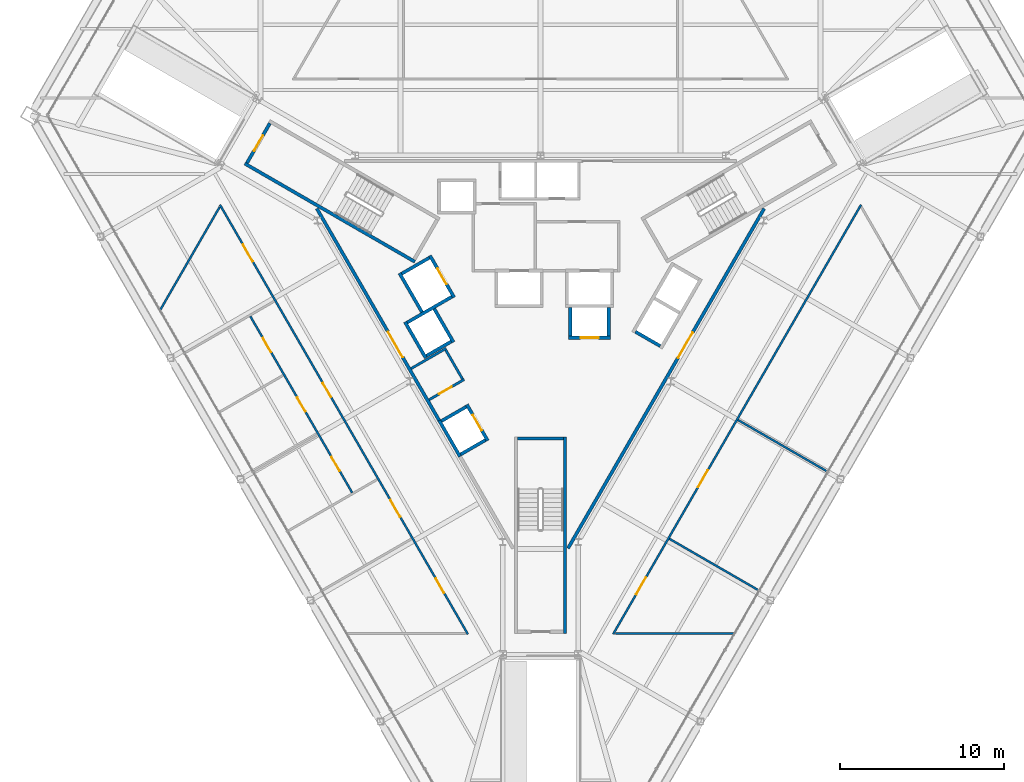
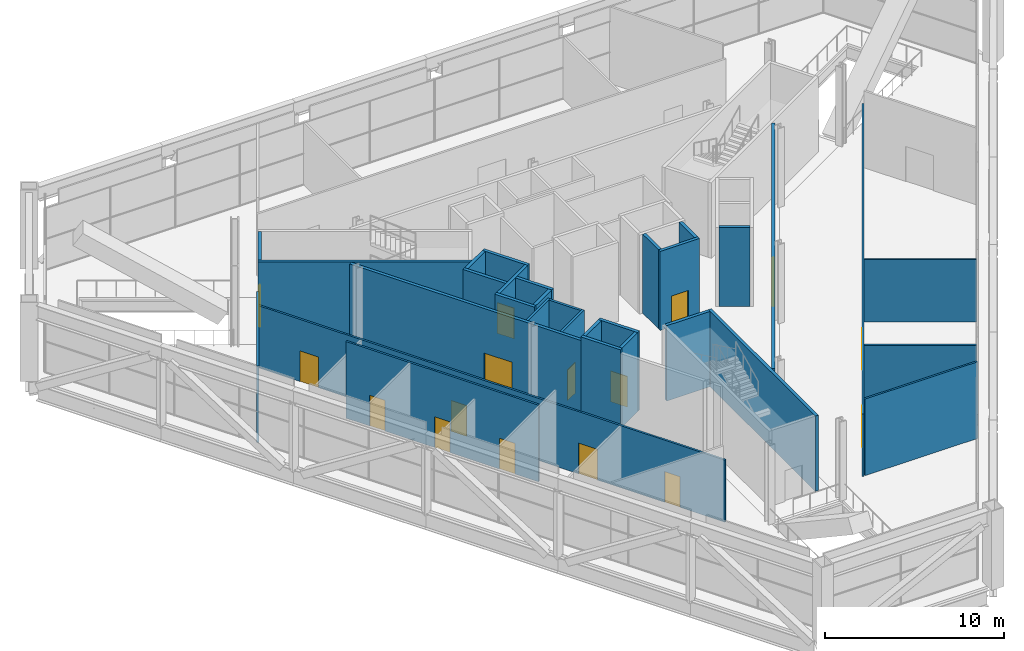
# One storey, part 13 of 20: 31 walls, 16 doors, 16 openings.
"""IFC4 building model written with IfcOpenShell, lengths in metres."""

import ifcopenshell
import ifcopenshell.guid

model = None  # the IFC model being written
_history = None  # IfcOwnerHistory: only IFC2X3 demands one
_inside = {}  # id of a spatial element -> (the spatial element, [elements in it])
_under = {}  # id of a project, library or spatial element -> (it, [spatial elements below it])
_declared = {}  # id of a project -> (the project, [libraries it declares])
_typed = {}  # id of a type object -> (the type object, [elements of that type])
_made_of = {}  # id of a material, layer set ... -> (it, [elements and type objects made of it])


def new_model(schema):
    """Start an empty IFC model of exactly this schema.

    Asked for "IFC4X3", IfcOpenShell would pick the latest addendum, in which some entities
    have other attributes; the version numbers below select the first issue.
    IFC2X3 requires an IfcOwnerHistory on every rooted entity: one is made here for all.
    """
    global model, _history
    if schema == "IFC4X3":
        model = ifcopenshell.file(schema_version=(4, 3, 0, 0))
    else:
        model = ifcopenshell.file(schema=schema)
    _inside.clear()
    _under.clear()
    _declared.clear()
    _typed.clear()
    _made_of.clear()
    _history = None
    if model.schema == "IFC2X3":
        org = make("IfcOrganization", Name="unknown")
        user = make(
            "IfcPersonAndOrganization",
            ThePerson=make("IfcPerson", FamilyName="unknown"),
            TheOrganization=org,
        )
        app = make(
            "IfcApplication",
            ApplicationDeveloper=org,
            Version="unknown",
            ApplicationFullName="unknown",
            ApplicationIdentifier="unknown",
        )
        _history = make(
            "IfcOwnerHistory",
            OwningUser=user,
            OwningApplication=app,
            ChangeAction="ADDED",
            CreationDate=0,
        )
    return model


def make(cls, **values):
    """One entity of the class cls with the attributes given. An attribute that is None is left unset."""
    return model.create_entity(
        cls, **{name: value for name, value in values.items() if value is not None}
    )


def rooted(cls, **values):
    """An entity with a GlobalId (a new one), such as an element, a storey or a relation."""
    return make(cls, GlobalId=ifcopenshell.guid.new(), OwnerHistory=_history, **values)


def si_unit(unit_type, name, prefix=None):
    """IfcSIUnit, for example si_unit("LENGTHUNIT", "METRE", prefix="MILLI")."""
    return make("IfcSIUnit", UnitType=unit_type, Prefix=prefix, Name=name)


def assignment(units):
    """IfcUnitAssignment: the units of a project."""
    return None if units is None else make("IfcUnitAssignment", Units=units)


def point(xyz):
    """IfcCartesianPoint."""
    return None if xyz is None else make("IfcCartesianPoint", Coordinates=xyz)


def direction(xyz):
    """IfcDirection."""
    return None if xyz is None else make("IfcDirection", DirectionRatios=xyz)


def frame(location, z_axis=None, x_axis=None):
    """IfcAxis2Placement3D, a coordinate frame: its origin and axes. An axis left out is left unset."""
    return make(
        "IfcAxis2Placement3D",
        Location=point(location),
        Axis=direction(z_axis),
        RefDirection=direction(x_axis),
    )


def frame_2d(location, x_axis=None):
    """IfcAxis2Placement2D, a coordinate frame in the plane: its origin and x axis."""
    return make(
        "IfcAxis2Placement2D", Location=point(location), RefDirection=direction(x_axis)
    )


def origin():
    """The frame at (0, 0, 0) with its axes left unset."""
    return frame((0.0, 0.0, 0.0))


def place(relative_to, where):
    """IfcLocalPlacement: puts the frame where relative to a parent placement (None: the world)."""
    return make(
        "IfcLocalPlacement", PlacementRelTo=relative_to, RelativePlacement=where
    )


def context(
    kind, dimensions, precision=None, world=None, true_north=None, identifier=None
):
    """IfcGeometricRepresentationContext, for example the 3D "Model" context."""
    return make(
        "IfcGeometricRepresentationContext",
        ContextIdentifier=identifier,
        ContextType=kind,
        CoordinateSpaceDimension=dimensions,
        Precision=precision,
        WorldCoordinateSystem=world,
        TrueNorth=true_north,
    )


def subcontext(parent, identifier, kind, view, scale=None):
    """IfcGeometricRepresentationSubContext, for example "Body" below "Model"."""
    return make(
        "IfcGeometricRepresentationSubContext",
        ContextIdentifier=identifier,
        ContextType=kind,
        ParentContext=parent,
        TargetScale=scale,
        TargetView=view,
    )


def project(units=None, contexts=None):
    """IfcProject with its units and contexts."""
    return rooted(
        "IfcProject",
        Name="project",
        RepresentationContexts=contexts,
        UnitsInContext=assignment(units),
    )


def spatial(cls, under=None, at=None, **own):
    """A site, building, storey or space (cls), placed at a placement, below another one or the project."""
    s = rooted(cls, ObjectPlacement=at, **own)
    if under is not None:
        _under.setdefault(under.id(), (under, []))[1].append(s)
    return s


def profile(cls, at=None, kind="AREA", **sizes):
    """A parametric profile (cls). Its sizes go by their IFC names, for example OverallWidth=200.0."""
    return make(cls, ProfileType=kind, Position=at, **sizes)


def rectangle(**sizes):
    """IfcRectangleProfileDef."""
    return profile("IfcRectangleProfileDef", **sizes)


def extrude(swept, where, along, depth):
    """IfcExtrudedAreaSolid: the profile swept, set in the frame where, extruded along a direction by depth."""
    return make(
        "IfcExtrudedAreaSolid",
        SweptArea=swept,
        Position=where,
        ExtrudedDirection=direction(along),
        Depth=depth,
    )


def shape(context_of_items, identifier, shape_type, items):
    """IfcShapeRepresentation: the items that make up one representation, for example the "Body"."""
    return make(
        "IfcShapeRepresentation",
        ContextOfItems=context_of_items,
        RepresentationIdentifier=identifier,
        RepresentationType=shape_type,
        Items=items,
    )


def material(Name=None, Category=None):
    """IfcMaterial."""
    return make("IfcMaterial", Name=Name, Category=Category)


def layer(
    of_material, thickness, ventilated=None, Name=None, Category=None, Priority=None
):
    """IfcMaterialLayer: one layer of a wall or slab, of a material (None: an air gap)."""
    return make(
        "IfcMaterialLayer",
        Material=of_material,
        LayerThickness=thickness,
        IsVentilated=ventilated,
        Name=Name,
        Category=Category,
        Priority=Priority,
    )


def layer_set(layers, Name=None):
    """IfcMaterialLayerSet."""
    return make("IfcMaterialLayerSet", MaterialLayers=layers, LayerSetName=Name)


def made_of(thing, what):
    """Note that an element or type object is made of a material, layer set ...; save() writes the relation."""
    if what is not None:
        _made_of.setdefault(what.id(), (what, []))[1].append(thing)
    return thing


def type_object(cls, material=None, **own):
    """A type object (cls), such as IfcWallType, which elements share."""
    return made_of(rooted(cls, **own), material)


def element(
    cls,
    number,
    at=None,
    inside=None,
    cuts=None,
    type_object=None,
    material=None,
    context=None,
    identifier="Body",
    shape_type=None,
    held_by="IfcProductDefinitionShape",
    body=None,
    shapes=None,
    **own,
):
    """One element of the class cls, such as IfcWall. Its Tag is "e" and its number.

    at: its placement. inside: the storey or other place that contains it. cuts: it is an
    opening in that element (IfcRelVoidsElement). A single representation is given by context,
    identifier, shape_type and body (its items); several are given by shapes. held_by: the class
    of the entity that holds the representations. save() writes the other relations.
    """
    e = rooted(cls, Tag="e%d" % number, ObjectPlacement=at, **own)
    if body is not None:
        shapes = [shape(context, identifier, shape_type, body)]
    if shapes is not None:
        e.Representation = make(held_by, Representations=shapes)
    if inside is not None:
        _inside.setdefault(inside.id(), (inside, []))[1].append(e)
    if cuts is not None:
        rooted(
            "IfcRelVoidsElement", RelatingBuildingElement=cuts, RelatedOpeningElement=e
        )
    if type_object is not None:
        _typed.setdefault(type_object.id(), (type_object, []))[1].append(e)
    return made_of(e, material)


def fill(opening, filler):
    """IfcRelFillsElement: the door or window that sits in an opening."""
    return rooted(
        "IfcRelFillsElement",
        RelatingOpeningElement=opening,
        RelatedBuildingElement=filler,
    )


def aggregate(whole, parts):
    """IfcRelAggregates: a whole, such as a stair, and the parts it consists of."""
    return rooted("IfcRelAggregates", RelatingObject=whole, RelatedObjects=parts)


def save(model, path):
    """Write the relations noted so far, then the file.

    IfcRelAggregates (storeys below a building ...), IfcRelContainedInSpatialStructure (elements
    in a storey), IfcRelDefinesByType, IfcRelAssociatesMaterial and IfcRelDeclares: one each for
    every whole, place, type object, material and project.
    """
    for whole, parts in _under.values():
        aggregate(whole, parts)
    for where, things in _inside.values():
        rooted(
            "IfcRelContainedInSpatialStructure",
            RelatedElements=things,
            RelatingStructure=where,
        )
    for kind, things in _typed.values():
        rooted("IfcRelDefinesByType", RelatedObjects=things, RelatingType=kind)
    for what, things in _made_of.values():
        rooted("IfcRelAssociatesMaterial", RelatedObjects=things, RelatingMaterial=what)
    for by, libraries in _declared.values():
        rooted("IfcRelDeclares", RelatingContext=by, RelatedDefinitions=libraries)
    model.write(path)


model = new_model("IFC4")

# Units and contexts
model_context = context("Model", 3, precision=1e-05, world=origin(), true_north=direction((0.0, 1.0)))
body_context = subcontext(model_context, "Body", "Model", "MODEL_VIEW")
ifc_project = project(units=[si_unit("LENGTHUNIT", "METRE"), si_unit("AREAUNIT", "SQUARE_METRE"), si_unit("VOLUMEUNIT", "CUBIC_METRE"), si_unit("PLANEANGLEUNIT", "RADIAN"), si_unit("MASSUNIT", "GRAM", prefix="KILO")], contexts=[model_context])

# Site, building, storey
site_placement = place(None, origin())
site = spatial("IfcSite", under=ifc_project, at=site_placement, CompositionType="ELEMENT")
building_placement = place(site_placement, origin())
building = spatial("IfcBuilding", under=site, at=building_placement, Name="Verrane Prism Tower", CompositionType="ELEMENT")
storey_placement = place(building_placement, frame((0.0, 0.0, 12.0)))
storey = spatial("IfcBuildingStorey", under=building, at=storey_placement, Name="L01", CompositionType="ELEMENT", Elevation=12.0)

# Walls
ifc_material_1 = material(Name="Gypsum board partition", Category="other")
ifc_layer_1 = layer(ifc_material_1, 0.125)
ifc_layer_set_1 = layer_set([ifc_layer_1], Name="BW-125 demising wall 1 h")
wall_type_1 = type_object("IfcWallType", Name="BW-125 demising wall 1 h", PredefinedType="PARTITIONING", material=ifc_layer_set_1)
for number, where, z_axis, x_axis, name in (
    (1, (7.875244140625, -14.226318359375, 0.0), (0.0, 0.0, 1.0), (0.866003371142, -0.500038159714, 0.0), "Demising wall 015"),
    (2, (12.066162109375, -6.96630859375, 0.0), (0.0, 0.0, 1.0), (0.866003371142, -0.500038159714, 0.0), "Demising wall 018"),
):
    element("IfcWall", number, at=place(storey_placement, frame(where, z_axis=z_axis, x_axis=x_axis)), inside=storey, type_object=wall_type_1, Name=name, PredefinedType="PARTITIONING", context=body_context, shape_type="SweptSolid", body=[
        extrude(rectangle(XDim=6.3369140625, YDim=0.125, at=frame_2d((3.16845703125, 0.0))), origin(), (0.0, 0.0, 1.0), 4.2529296875),
    ])

# Wall, openings, doors
ifc_material_2 = material(Name="Gypsum board partition", Category="other")
ifc_layer_2 = layer(ifc_material_2, 0.125)
ifc_layer_set_2 = layer_set([ifc_layer_2], Name="BW-125 plumbing wall")
wall_type_2 = type_object("IfcWallType", Name="BW-125 plumbing wall", PredefinedType="PARTITIONING", material=ifc_layer_set_2)
wall_1_placement = place(storey_placement, frame((-11.50634765625, -11.410888671875, 0.0), z_axis=(0.0, 0.0, 1.0), x_axis=(-0.499977189168, 0.866038573224, 0.0)))
wall_1 = element("IfcWall", 3, at=wall_1_placement, inside=storey, type_object=wall_type_2, Name="Plumbing wall 005", PredefinedType="PARTITIONING", context=body_context, shape_type="SweptSolid", body=[
    extrude(rectangle(XDim=12.4443359375, YDim=0.125, at=frame_2d((6.22216796875, 0.0))), origin(), (0.0, 0.0, 1.0), 5.239990234375),
])
opening_1_placement = place(wall_1_placement, frame((9.912109375, 0.0, 0.0)))
opening_1 = element("IfcOpeningElement", 4, at=opening_1_placement, cuts=wall_1, Name="Opening D01006", PredefinedType="OPENING", context=body_context, shape_type="SweptSolid", body=[
    extrude(rectangle(XDim=1.0, YDim=2.10009765625, at=frame_2d((0.5, 1.050048828125))), frame((0.0, 0.072509765625, 0.0), z_axis=(0.0, -1.0, 0.0), x_axis=(1.0, 0.0, 0.0)), (0.0, 0.0, 1.0), 0.14501953125),
])
opening_2_placement = place(wall_1_placement, frame((5.719970703125, 0.0, 0.0)))
opening_2 = element("IfcOpeningElement", 5, at=opening_2_placement, cuts=wall_1, Name="Opening D01007", PredefinedType="OPENING", context=body_context, shape_type="SweptSolid", body=[
    extrude(rectangle(XDim=1.0, YDim=2.10009765625, at=frame_2d((0.5, 1.050048828125))), frame((0.0, 0.072509765625, 0.0), z_axis=(0.0, -1.0, 0.0), x_axis=(1.0, 0.0, 0.0)), (0.0, 0.0, 1.0), 0.14501953125),
])
opening_3_placement = place(wall_1_placement, frame((1.529052734375, 0.0, 0.0)))
opening_3 = element("IfcOpeningElement", 6, at=opening_3_placement, cuts=wall_1, Name="Opening D01008", PredefinedType="OPENING", context=body_context, shape_type="SweptSolid", body=[
    extrude(rectangle(XDim=1.0, YDim=2.10009765625, at=frame_2d((0.5, 1.050048828125))), frame((0.0, 0.072509765625, 0.0), z_axis=(0.0, -1.0, 0.0), x_axis=(1.0, 0.0, 0.0)), (0.0, 0.0, 1.0), 0.14501953125),
])
ifc_material_3 = material(Name="Timber veneered door leaf", Category="wood")
door_type_1 = type_object("IfcDoorType", Name="DR-1000x2100 single leaf room", OperationType="NOTDEFINED", PredefinedType="DOOR", material=ifc_material_3)
door_1_placement = place(opening_1_placement, origin())
door_1 = element("IfcDoor", 7, at=door_1_placement, inside=storey, type_object=door_type_1, Name="Door Men's WC 01SW", OperationType="SINGLE_SWING_LEFT", OverallHeight=2.10009765625, OverallWidth=1.0, PredefinedType="DOOR", context=body_context, shape_type="SweptSolid", body=[
    extrude(rectangle(XDim=1.0, YDim=2.10009765625, at=frame_2d((0.5, 1.050048828125))), frame((0.0, 0.02490234375, 0.0), z_axis=(0.0, -1.0, 0.0), x_axis=(1.0, 0.0, 0.0)), (0.0, 0.0, 1.0), 0.050048828125),
])
fill(opening_1, door_1)
door_2_placement = place(opening_2_placement, origin())
door_2 = element("IfcDoor", 8, at=door_2_placement, inside=storey, type_object=door_type_1, Name="Door Women's WC 01SW", OperationType="SINGLE_SWING_RIGHT", OverallHeight=2.10009765625, OverallWidth=1.0, PredefinedType="DOOR", context=body_context, shape_type="SweptSolid", body=[
    extrude(rectangle(XDim=1.0, YDim=2.10009765625, at=frame_2d((0.5, 1.050048828125))), frame((0.0, 0.02490234375, 0.0), z_axis=(0.0, -1.0, 0.0), x_axis=(1.0, 0.0, 0.0)), (0.0, 0.0, 1.0), 0.050048828125),
])
fill(opening_2, door_2)
door_3_placement = place(opening_3_placement, origin())
door_3 = element("IfcDoor", 9, at=door_3_placement, inside=storey, type_object=door_type_1, Name="Door Accessible WC 01SW", OperationType="SINGLE_SWING_LEFT", OverallHeight=2.10009765625, OverallWidth=1.0, PredefinedType="DOOR", context=body_context, shape_type="SweptSolid", body=[
    extrude(rectangle(XDim=1.0, YDim=2.10009765625, at=frame_2d((0.5, 1.050048828125))), frame((0.0, 0.02490234375, 0.0), z_axis=(0.0, -1.0, 0.0), x_axis=(1.0, 0.0, 0.0)), (0.0, 0.0, 1.0), 0.050048828125),
])
fill(opening_3, door_3)

# Wall
ifc_material_4 = material(Name="Gypsum board partition", Category="other")
ifc_layer_3 = layer(ifc_material_4, 0.125)
ifc_layer_set_3 = layer_set([ifc_layer_3], Name="BW-125 shopfront wall 1 h")
wall_type_3 = type_object("IfcWallType", Name="BW-125 shopfront wall 1 h", PredefinedType="PARTITIONING", material=ifc_layer_set_3)
wall_2_placement = place(storey_placement, frame((-23.25, -0.27001953125, 0.0), z_axis=(0.0, 0.0, 1.0), x_axis=(0.500002873931, 0.866023744513, 0.0)))
element("IfcWall", 10, at=wall_2_placement, inside=storey, type_object=wall_type_3, Name="Shopfront wall 001", PredefinedType="PARTITIONING", context=body_context, shape_type="SweptSolid", body=[
    extrude(rectangle(XDim=7.28515625, YDim=0.125, at=frame_2d((3.642578125, 0.0))), origin(), (0.0, 0.0, 1.0), 5.239990234375),
])

# Wall, openings, doors
wall_3_placement = place(storey_placement, frame((-4.437744140625, -20.05419921875, 0.0), z_axis=(0.0, 0.0, 1.0), x_axis=(-0.499994028088, 0.866028851642, 0.0)))
wall_3 = element("IfcWall", 11, at=wall_3_placement, inside=storey, type_object=wall_type_3, Name="Shopfront wall 004", PredefinedType="PARTITIONING", context=body_context, shape_type="SweptSolid", body=[
    extrude(rectangle(XDim=30.297119140625, YDim=0.125, at=frame_2d((15.1484375, 0.0))), origin(), (0.0, 0.0, 1.0), 4.2529296875),
])
opening_4_placement = place(wall_3_placement, frame((26.28466796875, 0.0, 0.0)))
opening_4 = element("IfcOpeningElement", 12, at=opening_4_placement, cuts=wall_3, Name="Opening D01004", PredefinedType="OPENING", context=body_context, shape_type="SweptSolid", body=[
    extrude(rectangle(XDim=1.199951171875, YDim=2.10009765625, at=frame_2d((0.60009765625, 1.050048828125))), frame((0.0, 0.072509765625, 0.0), z_axis=(0.0, -1.0, 0.0), x_axis=(1.0, 0.0, 0.0)), (0.0, 0.0, 1.0), 0.14501953125),
])
opening_5_placement = place(wall_3_placement, frame((16.730712890625, 0.0, 0.0)))
opening_5 = element("IfcOpeningElement", 13, at=opening_5_placement, cuts=wall_3, Name="Opening D01005", PredefinedType="OPENING", context=body_context, shape_type="SweptSolid", body=[
    extrude(rectangle(XDim=1.0, YDim=2.10009765625, at=frame_2d((0.5, 1.050048828125))), frame((0.0, 0.072509765625, 0.0), z_axis=(0.0, -1.0, 0.0), x_axis=(1.0, 0.0, 0.0)), (0.0, 0.0, 1.0), 0.14501953125),
])
opening_6_placement = place(wall_3_placement, frame((8.2568359375, 0.0, 0.0)))
opening_6 = element("IfcOpeningElement", 14, at=opening_6_placement, cuts=wall_3, Name="Opening D01009", PredefinedType="OPENING", context=body_context, shape_type="SweptSolid", body=[
    extrude(rectangle(XDim=1.199951171875, YDim=2.10009765625, at=frame_2d((0.60009765625, 1.050048828125))), frame((0.0, 0.072509765625, 0.0), z_axis=(0.0, -1.0, 0.0), x_axis=(1.0, 0.0, 0.0)), (0.0, 0.0, 1.0), 0.14501953125),
])
opening_7_placement = place(wall_3_placement, frame((2.915771484375, 0.0, 0.0)))
opening_7 = element("IfcOpeningElement", 15, at=opening_7_placement, cuts=wall_3, Name="Opening D01010", PredefinedType="OPENING", context=body_context, shape_type="SweptSolid", body=[
    extrude(rectangle(XDim=1.0, YDim=2.10009765625, at=frame_2d((0.5, 1.050048828125))), frame((0.0, 0.072509765625, 0.0), z_axis=(0.0, -1.0, 0.0), x_axis=(1.0, 0.0, 0.0)), (0.0, 0.0, 1.0), 0.14501953125),
])
ifc_material_5 = material(Name="Timber veneered door leaf", Category="wood")
door_type_2 = type_object("IfcDoorType", Name="DR-1000x2100 FD20 single leaf shopfront", OperationType="NOTDEFINED", PredefinedType="DOOR", material=ifc_material_5)
door_4_placement = place(opening_7_placement, origin())
door_4 = element("IfcDoor", 16, at=door_4_placement, inside=storey, type_object=door_type_2, Name="Door Cafe 0106", OperationType="SINGLE_SWING_LEFT", OverallHeight=2.10009765625, OverallWidth=1.0, PredefinedType="DOOR", context=body_context, shape_type="SweptSolid", body=[
    extrude(rectangle(XDim=1.0, YDim=2.10009765625, at=frame_2d((0.5, 1.050048828125))), frame((0.0, 0.02490234375, 0.0), z_axis=(0.0, -1.0, 0.0), x_axis=(1.0, 0.0, 0.0)), (0.0, 0.0, 1.0), 0.050048828125),
])
fill(opening_7, door_4)
ifc_material_6 = material(Name="Timber veneered door leaf", Category="wood")
door_type_3 = type_object("IfcDoorType", Name="DR-1000x2100 FD20 single leaf wc lobby", OperationType="NOTDEFINED", PredefinedType="DOOR", material=ifc_material_6)
door_5_placement = place(opening_5_placement, origin())
door_5 = element("IfcDoor", 17, at=door_5_placement, inside=storey, type_object=door_type_3, Name="Door WC Lobby 01SW", OperationType="SINGLE_SWING_RIGHT", OverallHeight=2.10009765625, OverallWidth=1.0, PredefinedType="DOOR", context=body_context, shape_type="SweptSolid", body=[
    extrude(rectangle(XDim=1.0, YDim=2.10009765625, at=frame_2d((0.5, 1.050048828125))), frame((0.0, 0.02490234375, 0.0), z_axis=(0.0, -1.0, 0.0), x_axis=(1.0, 0.0, 0.0)), (0.0, 0.0, 1.0), 0.050048828125),
])
fill(opening_5, door_5)
ifc_material_7 = material(Name="Timber veneered door leaf", Category="wood")
door_type_4 = type_object("IfcDoorType", Name="DR-1200x2100 FD20 single leaf shopfront", OperationType="NOTDEFINED", PredefinedType="DOOR", material=ifc_material_7)
door_6_placement = place(opening_4_placement, origin())
door_6 = element("IfcDoor", 18, at=door_6_placement, inside=storey, type_object=door_type_4, Name="Door Shop 0104", OperationType="SINGLE_SWING_LEFT", OverallHeight=2.10009765625, OverallWidth=1.199951171875, PredefinedType="DOOR", context=body_context, shape_type="SweptSolid", body=[
    extrude(rectangle(XDim=1.199951171875, YDim=2.10009765625, at=frame_2d((0.60009765625, 1.050048828125))), frame((0.0, 0.02490234375, 0.0), z_axis=(0.0, -1.0, 0.0), x_axis=(1.0, 0.0, 0.0)), (0.0, 0.0, 1.0), 0.050048828125),
])
fill(opening_4, door_6)
door_7_placement = place(opening_6_placement, origin())
door_7 = element("IfcDoor", 19, at=door_7_placement, inside=storey, type_object=door_type_4, Name="Door Shop 0105", OperationType="SINGLE_SWING_RIGHT", OverallHeight=2.10009765625, OverallWidth=1.199951171875, PredefinedType="DOOR", context=body_context, shape_type="SweptSolid", body=[
    extrude(rectangle(XDim=1.199951171875, YDim=2.10009765625, at=frame_2d((0.60009765625, 1.050048828125))), frame((0.0, 0.02490234375, 0.0), z_axis=(0.0, -1.0, 0.0), x_axis=(1.0, 0.0, 0.0)), (0.0, 0.0, 1.0), 0.050048828125),
])
fill(opening_6, door_7)

# Wall
wall_4_placement = place(storey_placement, frame((4.573974609375, -20.0, 0.0), z_axis=(0.0, 0.0, 1.0), x_axis=(1.0, 0.0, 0.0)))
element("IfcWall", 20, at=wall_4_placement, inside=storey, type_object=wall_type_3, Name="Shopfront wall 013", PredefinedType="PARTITIONING", context=body_context, shape_type="SweptSolid", body=[
    extrude(rectangle(XDim=7.284912109375, YDim=0.125, at=frame_2d((3.642578125, 0.0))), origin(), (0.0, 0.0, 1.0), 5.239990234375),
])

# Wall, openings, doors
wall_5_placement = place(storey_placement, frame((19.586181640625, 6.18408203125, 0.0), z_axis=(0.0, 0.0, 1.0), x_axis=(-0.499994028088, -0.866028851642, 0.0)))
wall_5 = element("IfcWall", 21, at=wall_5_placement, inside=storey, type_object=wall_type_3, Name="Shopfront wall 014", PredefinedType="PARTITIONING", context=body_context, shape_type="SweptSolid", body=[
    extrude(rectangle(XDim=30.297119140625, YDim=0.125, at=frame_2d((15.1484375, 0.0))), origin(), (0.0, 0.0, 1.0), 4.2529296875),
])
opening_8_placement = place(wall_5_placement, frame((26.28466796875, 0.0, 0.0)))
opening_8 = element("IfcOpeningElement", 22, at=opening_8_placement, cuts=wall_5, Name="Opening D01011", PredefinedType="OPENING", context=body_context, shape_type="SweptSolid", body=[
    extrude(rectangle(XDim=1.199951171875, YDim=2.10009765625, at=frame_2d((0.60009765625, 1.050048828125))), frame((0.0, 0.072509765625, 0.0), z_axis=(0.0, -1.0, 0.0), x_axis=(1.0, 0.0, 0.0)), (0.0, 0.0, 1.0), 0.14501953125),
])
opening_9_placement = place(wall_5_placement, frame((18.731689453125, 0.0, 0.0)))
opening_9 = element("IfcOpeningElement", 23, at=opening_9_placement, cuts=wall_5, Name="Opening D01012", PredefinedType="OPENING", context=body_context, shape_type="SweptSolid", body=[
    extrude(rectangle(XDim=1.199951171875, YDim=2.10009765625, at=frame_2d((0.60009765625, 1.050048828125))), frame((0.0, 0.072509765625, 0.0), z_axis=(0.0, -1.0, 0.0), x_axis=(1.0, 0.0, 0.0)), (0.0, 0.0, 1.0), 0.14501953125),
])
door_8_placement = place(opening_8_placement, origin())
door_8 = element("IfcDoor", 24, at=door_8_placement, inside=storey, type_object=door_type_4, Name="Door Shop 0107", OperationType="SINGLE_SWING_RIGHT", OverallHeight=2.10009765625, OverallWidth=1.199951171875, PredefinedType="DOOR", context=body_context, shape_type="SweptSolid", body=[
    extrude(rectangle(XDim=1.199951171875, YDim=2.10009765625, at=frame_2d((0.60009765625, 1.050048828125))), frame((0.0, 0.02490234375, 0.0), z_axis=(0.0, -1.0, 0.0), x_axis=(1.0, 0.0, 0.0)), (0.0, 0.0, 1.0), 0.050048828125),
])
fill(opening_8, door_8)
door_9_placement = place(opening_9_placement, origin())
door_9 = element("IfcDoor", 25, at=door_9_placement, inside=storey, type_object=door_type_4, Name="Door Shop 0108", OperationType="SINGLE_SWING_LEFT", OverallHeight=2.10009765625, OverallWidth=1.199951171875, PredefinedType="DOOR", context=body_context, shape_type="SweptSolid", body=[
    extrude(rectangle(XDim=1.199951171875, YDim=2.10009765625, at=frame_2d((0.60009765625, 1.050048828125))), frame((0.0, 0.02490234375, 0.0), z_axis=(0.0, -1.0, 0.0), x_axis=(1.0, 0.0, 0.0)), (0.0, 0.0, 1.0), 0.050048828125),
])
fill(opening_9, door_9)

# Wall, opening, door
ifc_material_8 = material(Name="Gypsum board partition", Category="other")
ifc_layer_4 = layer(ifc_material_8, 0.199951171875)
ifc_layer_set_4 = layer_set([ifc_layer_4], Name="CW-200 core boundary wall 2 h")
wall_type_4 = type_object("IfcWallType", Name="CW-200 core boundary wall 2 h", PredefinedType="PARTITIONING", material=ifc_layer_set_4)
wall_6_placement = place(storey_placement, frame((-13.666015625, 5.950439453125, 0.0), z_axis=(0.0, 0.0, 1.0), x_axis=(0.499971736997, -0.866041720822, 0.0)))
wall_6 = element("IfcWall", 26, at=wall_6_placement, inside=storey, type_object=wall_type_4, Name="Core boundary wall CW3-001", PredefinedType="PARTITIONING", context=body_context, shape_type="SweptSolid", body=[
    extrude(rectangle(XDim=14.948974609375, YDim=0.199951171875, at=frame_2d((7.474609375, 0.0))), origin(), (0.0, 0.0, 1.0), 5.14990234375),
])
opening_10_placement = place(wall_6_placement, frame((8.68994140625, 0.0, 0.0)))
opening_10 = element("IfcOpeningElement", 27, at=opening_10_placement, cuts=wall_6, Name="Opening D01508", PredefinedType="OPENING", context=body_context, shape_type="SweptSolid", body=[
    extrude(rectangle(XDim=1.800048828125, YDim=2.10009765625, at=frame_2d((0.89990234375, 1.050048828125))), frame((0.0, 0.10986328125, 0.0), z_axis=(0.0, -1.0, 0.0), x_axis=(1.0, 0.0, 0.0)), (0.0, 0.0, 1.0), 0.219970703125),
])
ifc_material_9 = material(Name="Timber veneered door leaf", Category="wood")
door_type_5 = type_object("IfcDoorType", Name="DR-1800x2100 FD60 double leaf lift lobby", OperationType="NOTDEFINED", PredefinedType="DOOR", material=ifc_material_9)
door_10_placement = place(opening_10_placement, origin())
door_10 = element("IfcDoor", 28, at=door_10_placement, inside=storey, type_object=door_type_5, Name="Lift lobby door D01508", OperationType="DOUBLE_DOOR_SINGLE_SWING", OverallHeight=2.10009765625, OverallWidth=1.800048828125, PredefinedType="DOOR", context=body_context, shape_type="SweptSolid", body=[
    extrude(rectangle(XDim=1.800048828125, YDim=2.10009765625, at=frame_2d((0.89990234375, 1.050048828125))), frame((0.0, 0.02490234375, 0.0), z_axis=(0.0, -1.0, 0.0), x_axis=(1.0, 0.0, 0.0)), (0.0, 0.0, 1.0), 0.050048828125),
])
fill(opening_10, door_10)

wall_7_placement = place(storey_placement, frame((1.679931640625, -14.810546875, 0.0), z_axis=(0.0, 0.0, 1.0), x_axis=(0.499994327219, 0.866028678941, 0.0)))
wall_7 = element("IfcWall", 29, at=wall_7_placement, inside=storey, type_object=wall_type_4, Name="Core boundary wall CW3-004", PredefinedType="PARTITIONING", context=body_context, shape_type="SweptSolid", body=[
    extrude(rectangle(XDim=23.967529296875, YDim=0.199951171875, at=frame_2d((11.98388671875, 0.0))), origin(), (0.0, 0.0, 1.0), 5.14990234375),
])
opening_11_placement = place(wall_7_placement, frame((13.43994140625, 0.0, 0.0)))
opening_11 = element("IfcOpeningElement", 30, at=opening_11_placement, cuts=wall_7, Name="Opening D01515", PredefinedType="OPENING", context=body_context, shape_type="SweptSolid", body=[
    extrude(rectangle(XDim=1.800048828125, YDim=2.10009765625, at=frame_2d((0.89990234375, 1.050048828125))), frame((0.0, 0.10986328125, 0.0), z_axis=(0.0, -1.0, 0.0), x_axis=(1.0, 0.0, 0.0)), (0.0, 0.0, 1.0), 0.219970703125),
])
door_11_placement = place(opening_11_placement, origin())
door_11 = element("IfcDoor", 31, at=door_11_placement, inside=storey, type_object=door_type_5, Name="Lift lobby door D01515", OperationType="DOUBLE_DOOR_SINGLE_SWING", OverallHeight=2.10009765625, OverallWidth=1.800048828125, PredefinedType="DOOR", context=body_context, shape_type="SweptSolid", body=[
    extrude(rectangle(XDim=1.800048828125, YDim=2.10009765625, at=frame_2d((0.89990234375, 1.050048828125))), frame((0.0, 0.02490234375, 0.0), z_axis=(0.0, -1.0, 0.0), x_axis=(1.0, 0.0, 0.0)), (0.0, 0.0, 1.0), 0.050048828125),
])
fill(opening_11, door_11)

ifc_material_10 = material(Name="Concrete C40/50", Category="concrete")
ifc_layer_5 = layer(ifc_material_10, 0.199951171875)
ifc_layer_set_5 = layer_set([ifc_layer_5], Name="CW-200 stair core wall concrete C40/50 3 h")
wall_type_5 = type_object("IfcWallType", Name="CW-200 stair core wall concrete C40/50 3 h", PredefinedType="PARTITIONING", material=ifc_layer_set_5)
wall_8_placement = place(storey_placement, frame((-16.533935546875, 11.162353515625, 0.0), z_axis=(0.0, 0.0, 1.0), x_axis=(-0.49998411664, -0.866034573852, 0.0)))
wall_8 = element("IfcWall", 32, at=wall_8_placement, inside=storey, type_object=wall_type_5, Name="Stair 2 enclosure wall", PredefinedType="PARTITIONING", context=body_context, shape_type="SweptSolid", body=[
    extrude(rectangle(XDim=2.7998046875, YDim=0.199951171875, at=frame_2d((1.39990234375, 0.0))), origin(), (0.0, 0.0, 1.0), 5.14990234375),
])
opening_12_placement = place(wall_8_placement, frame((0.849853515625, 0.0, 0.0)))
opening_12 = element("IfcOpeningElement", 33, at=opening_12_placement, cuts=wall_8, Name="Opening D01501", PredefinedType="OPENING", context=body_context, shape_type="SweptSolid", body=[
    extrude(rectangle(XDim=1.10009765625, YDim=2.10009765625, at=frame_2d((0.550048828125, 1.050048828125))), frame((0.0, 0.10986328125, 0.0), z_axis=(0.0, -1.0, 0.0), x_axis=(1.0, 0.0, 0.0)), (0.0, 0.0, 1.0), 0.219970703125),
])
ifc_material_11 = material(Name="Timber veneered door leaf", Category="wood")
door_type_6 = type_object("IfcDoorType", Name="DR-1100x2100 FD90 single leaf stair", OperationType="NOTDEFINED", PredefinedType="DOOR", material=ifc_material_11)
door_12_placement = place(opening_12_placement, origin())
door_12 = element("IfcDoor", 34, at=door_12_placement, inside=storey, type_object=door_type_6, Name="Stair 2 door", OperationType="SINGLE_SWING_RIGHT", OverallHeight=2.10009765625, OverallWidth=1.10009765625, PredefinedType="DOOR", context=body_context, shape_type="SweptSolid", body=[
    extrude(rectangle(XDim=1.10009765625, YDim=2.10009765625, at=frame_2d((0.550048828125, 1.050048828125))), frame((0.0, 0.02490234375, 0.0), z_axis=(0.0, -1.0, 0.0), x_axis=(1.0, 0.0, 0.0)), (0.0, 0.0, 1.0), 0.050048828125),
])
fill(opening_12, door_12)

# Walls
for number, where, z_axis, x_axis, name in (
    (35, (-7.67822265625, 2.700927734375, 0.0), (0.0, 0.0, 1.0), (-0.866026010844, 0.49999894854, 0.0), "Stair 2 enclosure wall"),
    (36, (1.5, -8.0, 0.0), (0.0, 0.0, 1.0), (0.0, -1.0, 0.0), "Stair 3 enclosure wall"),
):
    element("IfcWall", number, at=place(storey_placement, frame(where, z_axis=z_axis, x_axis=x_axis)), inside=storey, type_object=wall_type_5, Name=name, PredefinedType="PARTITIONING", context=body_context, shape_type="SweptSolid", body=[
        extrude(rectangle(XDim=12.0, YDim=0.199951171875, at=frame_2d((6.0, 0.0))), origin(), (0.0, 0.0, 1.0), 5.14990234375),
    ])
wall_9_placement = place(storey_placement, frame((-1.39990234375, -8.10009765625, 0.0), z_axis=(0.0, 0.0, 1.0), x_axis=(1.0, 0.0, 0.0)))
element("IfcWall", 37, at=wall_9_placement, inside=storey, type_object=wall_type_5, Name="Stair 3 enclosure wall", PredefinedType="PARTITIONING", context=body_context, shape_type="SweptSolid", body=[
    extrude(rectangle(XDim=2.7998046875, YDim=0.199951171875, at=frame_2d((1.39990234375, 0.0))), origin(), (0.0, 0.0, 1.0), 5.14990234375),
])

# Wall, opening, door
ifc_material_12 = material(Name="Gypsum board shaft wall assembly", Category="other")
ifc_layer_6 = layer(ifc_material_12, 0.199951171875)
ifc_layer_set_6 = layer_set([ifc_layer_6], Name="HW-200 lift shaft wall 2 h")
wall_type_6 = type_object("IfcWallType", Name="HW-200 lift shaft wall 2 h", PredefinedType="PARTITIONING", material=ifc_layer_set_6)
wall_10_placement = place(storey_placement, frame((1.72509765625, -1.949951171875, 0.0), z_axis=(0.0, 0.0, 1.0), x_axis=(1.0, 0.0, 0.0)))
wall_10 = element("IfcWall", 38, at=wall_10_placement, inside=storey, type_object=wall_type_6, Name="Lift shaft wall", PredefinedType="PARTITIONING", context=body_context, shape_type="SweptSolid", body=[
    extrude(rectangle(XDim=2.5498046875, YDim=0.199951171875, at=frame_2d((1.27490234375, 0.0))), origin(), (0.0, 0.0, 1.0), 5.39990234375),
])
opening_13_placement = place(wall_10_placement, frame((0.72509765625, 0.0, 0.0)))
opening_13 = element("IfcOpeningElement", 39, at=opening_13_placement, cuts=wall_10, Name="Opening D01507", PredefinedType="OPENING", context=body_context, shape_type="SweptSolid", body=[
    extrude(rectangle(XDim=1.10009765625, YDim=2.10009765625, at=frame_2d((0.550048828125, 1.050048828125))), frame((0.0, 0.10986328125, 0.0), z_axis=(0.0, -1.0, 0.0), x_axis=(1.0, 0.0, 0.0)), (0.0, 0.0, 1.0), 0.219970703125),
])
ifc_material_13 = material(Name="Stainless steel sliding landing door", Category="steel")
door_type_7 = type_object("IfcDoorType", Name="LD-1100x2100 lift landing door FD90 sliding", OperationType="NOTDEFINED", PredefinedType="DOOR", material=ifc_material_13)
door_13_placement = place(opening_13_placement, origin())
door_13 = element("IfcDoor", 40, at=door_13_placement, inside=storey, type_object=door_type_7, Name="Retail lift 2 landing door", OperationType="SLIDING_TO_RIGHT", OverallHeight=2.10009765625, OverallWidth=1.10009765625, PredefinedType="DOOR", context=body_context, shape_type="SweptSolid", body=[
    extrude(rectangle(XDim=1.10009765625, YDim=2.10009765625, at=frame_2d((0.550048828125, 1.050048828125))), frame((0.0, 0.02490234375, 0.0), z_axis=(0.0, -1.0, 0.0), x_axis=(1.0, 0.0, 0.0)), (0.0, 0.0, 1.0), 0.050048828125),
])
fill(opening_13, door_13)

# Walls
for number, where, z_axis, x_axis, name in (
    (41, (-4.87890625, -9.069580078125, 0.0), (0.0, 0.0, 1.0), (0.866036909293, 0.499980071345, 0.0), "Lift shaft wall"),
    (42, (-6.053955078125, -7.034423828125, 0.0), (0.0, 0.0, 1.0), (0.866036909293, 0.499980071345, 0.0), "Lift shaft wall"),
    (43, (-6.9697265625, -3.048095703125, 0.0), (0.0, 0.0, 1.0), (0.866036909293, 0.499980071345, 0.0), "Lift shaft wall"),
):
    element("IfcWall", number, at=place(storey_placement, frame(where, z_axis=z_axis, x_axis=x_axis)), inside=storey, type_object=wall_type_6, Name=name, PredefinedType="PARTITIONING", context=body_context, shape_type="SweptSolid", body=[
        extrude(rectangle(XDim=1.75, YDim=0.199951171875, at=frame_2d((0.875, 0.0))), origin(), (0.0, 0.0, 1.0), 5.39990234375),
    ])
wall_11_placement = place(storey_placement, frame((-8.14453125, -1.012939453125, 0.0), z_axis=(0.0, 0.0, 1.0), x_axis=(0.866016494683, 0.500015430699, 0.0)))
element("IfcWall", 44, at=wall_11_placement, inside=storey, type_object=wall_type_6, Name="Lift shaft wall", PredefinedType="PARTITIONING", context=body_context, shape_type="SweptSolid", body=[
    extrude(rectangle(XDim=3.14990234375, YDim=0.199951171875, at=frame_2d((1.574951171875, 0.0))), origin(), (0.0, 0.0, 1.0), 5.39990234375),
])
wall_12_placement = place(storey_placement, frame((-8.48046875, 1.968505859375, 0.0), z_axis=(0.0, 0.0, 1.0), x_axis=(0.866000020948, 0.500043961785, 0.0)))
element("IfcWall", 45, at=wall_12_placement, inside=storey, type_object=wall_type_6, Name="Lift shaft wall", PredefinedType="PARTITIONING", context=body_context, shape_type="SweptSolid", body=[
    extrude(rectangle(XDim=1.949951171875, YDim=0.199951171875, at=frame_2d((0.97509765625, 0.0))), origin(), (0.0, 0.0, 1.0), 5.39990234375),
])
for number, where, z_axis, x_axis, name in (
    (46, (4.175048828125, -1.85009765625, 0.0), (0.0, 0.0, 1.0), (0.0, 1.0, 0.0), "Lift shaft wall"),
    (47, (1.824951171875, -1.85009765625, 0.0), (0.0, 0.0, 1.0), (0.0, 1.0, 0.0), "Lift shaft wall"),
):
    element("IfcWall", number, at=place(storey_placement, frame(where, z_axis=z_axis, x_axis=x_axis)), inside=storey, type_object=wall_type_6, Name=name, PredefinedType="PARTITIONING", context=body_context, shape_type="SweptSolid", body=[
        extrude(rectangle(XDim=1.75, YDim=0.199951171875, at=frame_2d((0.875, 0.0))), origin(), (0.0, 0.0, 1.0), 5.39990234375),
    ])

# Wall, opening, door
wall_13_placement = place(storey_placement, frame((-5.280029296875, 0.525390625, 0.0), z_axis=(0.0, 0.0, 1.0), x_axis=(-0.500037662692, 0.866003658127, 0.0)))
wall_13 = element("IfcWall", 48, at=wall_13_placement, inside=storey, type_object=wall_type_6, Name="Lift shaft wall", PredefinedType="PARTITIONING", context=body_context, shape_type="SweptSolid", body=[
    extrude(rectangle(XDim=2.949951171875, YDim=0.199951171875, at=frame_2d((1.47509765625, 0.0))), origin(), (0.0, 0.0, 1.0), 5.39990234375),
])
opening_14_placement = place(wall_13_placement, frame((0.925048828125, 0.0, 0.0)))
opening_14 = element("IfcOpeningElement", 49, at=opening_14_placement, cuts=wall_13, Name="Opening D01505", PredefinedType="OPENING", context=body_context, shape_type="SweptSolid", body=[
    extrude(rectangle(XDim=1.10009765625, YDim=2.10009765625, at=frame_2d((0.550048828125, 1.050048828125))), frame((0.0, 0.10986328125, 0.0), z_axis=(0.0, -1.0, 0.0), x_axis=(1.0, 0.0, 0.0)), (0.0, 0.0, 1.0), 0.219970703125),
])
door_14_placement = place(opening_14_placement, origin())
door_14 = element("IfcDoor", 50, at=door_14_placement, inside=storey, type_object=door_type_7, Name="Service lift 1 landing door", OperationType="SLIDING_TO_LEFT", OverallHeight=2.10009765625, OverallWidth=1.10009765625, PredefinedType="DOOR", context=body_context, shape_type="SweptSolid", body=[
    extrude(rectangle(XDim=1.10009765625, YDim=2.10009765625, at=frame_2d((0.550048828125, 1.050048828125))), frame((0.0, 0.02490234375, 0.0), z_axis=(0.0, -1.0, 0.0), x_axis=(1.0, 0.0, 0.0)), (0.0, 0.0, 1.0), 0.050048828125),
])
fill(opening_14, door_14)

# Walls
wall_14_placement = place(storey_placement, frame((-5.317626953125, -2.209716796875, 0.0), z_axis=(0.0, 0.0, 1.0), x_axis=(-0.499938297808, 0.866061024631, 0.0)))
element("IfcWall", 51, at=wall_14_placement, inside=storey, type_object=wall_type_6, Name="Lift shaft wall", PredefinedType="PARTITIONING", context=body_context, shape_type="SweptSolid", body=[
    extrude(rectangle(XDim=2.349853515625, YDim=0.199951171875, at=frame_2d((1.1748046875, 0.0))), origin(), (0.0, 0.0, 1.0), 5.39990234375),
])
wall_15_placement = place(storey_placement, frame((-7.241943359375, -0.37646484375, 0.0), z_axis=(0.0, 0.0, 1.0), x_axis=(-0.499996545922, 0.866027397988, 0.0)))
element("IfcWall", 52, at=wall_15_placement, inside=storey, type_object=wall_type_6, Name="Lift shaft wall", PredefinedType="PARTITIONING", context=body_context, shape_type="SweptSolid", body=[
    extrude(rectangle(XDim=2.75, YDim=0.199951171875, at=frame_2d((1.375, 0.0))), origin(), (0.0, 0.0, 1.0), 5.39990234375),
])

# Wall, opening, door
wall_16_placement = place(storey_placement, frame((-3.226806640625, -8.231201171875, 0.0), z_axis=(0.0, 0.0, 1.0), x_axis=(-0.499948979701, 0.866054858364, 0.0)))
wall_16 = element("IfcWall", 53, at=wall_16_placement, inside=storey, type_object=wall_type_6, Name="Lift shaft wall", PredefinedType="PARTITIONING", context=body_context, shape_type="SweptSolid", body=[
    extrude(rectangle(XDim=2.550048828125, YDim=0.199951171875, at=frame_2d((1.27490234375, 0.0))), origin(), (0.0, 0.0, 1.0), 5.39990234375),
])
opening_15_placement = place(wall_16_placement, frame((0.72509765625, 0.0, 0.0)))
opening_15 = element("IfcOpeningElement", 54, at=opening_15_placement, cuts=wall_16, Name="Opening D01506", PredefinedType="OPENING", context=body_context, shape_type="SweptSolid", body=[
    extrude(rectangle(XDim=1.10009765625, YDim=2.10009765625, at=frame_2d((0.550048828125, 1.050048828125))), frame((0.0, 0.10986328125, 0.0), z_axis=(0.0, -1.0, 0.0), x_axis=(1.0, 0.0, 0.0)), (0.0, 0.0, 1.0), 0.219970703125),
])
door_15_placement = place(opening_15_placement, origin())
door_15 = element("IfcDoor", 55, at=door_15_placement, inside=storey, type_object=door_type_7, Name="Retail lift 1 landing door", OperationType="SLIDING_TO_LEFT", OverallHeight=2.10009765625, OverallWidth=1.10009765625, PredefinedType="DOOR", context=body_context, shape_type="SweptSolid", body=[
    extrude(rectangle(XDim=1.10009765625, YDim=2.10009765625, at=frame_2d((0.550048828125, 1.050048828125))), frame((0.0, 0.02490234375, 0.0), z_axis=(0.0, -1.0, 0.0), x_axis=(1.0, 0.0, 0.0)), (0.0, 0.0, 1.0), 0.050048828125),
])
fill(opening_15, door_15)

# Walls
for number, where, z_axis, x_axis, name in (
    (56, (-7.00634765625, -3.184814453125, 0.0), (0.0, 0.0, 1.0), (-0.499990435942, 0.866030925526, 0.0), "Lift shaft wall"),
    (57, (-4.91552734375, -9.2060546875, 0.0), (0.0, 0.0, 1.0), (-0.499990435942, 0.866030925526, 0.0), "Lift shaft wall"),
):
    element("IfcWall", number, at=place(storey_placement, frame(where, z_axis=z_axis, x_axis=x_axis)), inside=storey, type_object=wall_type_6, Name=name, PredefinedType="PARTITIONING", context=body_context, shape_type="SweptSolid", body=[
        extrude(rectangle(XDim=2.5498046875, YDim=0.199951171875, at=frame_2d((1.27490234375, 0.0))), origin(), (0.0, 0.0, 1.0), 5.39990234375),
    ])
wall_17_placement = place(storey_placement, frame((7.314697265625, -2.45068359375, 0.0), z_axis=(0.0, 0.0, 1.0), x_axis=(-0.866036909293, 0.499980071345, 0.0)))
element("IfcWall", 58, at=wall_17_placement, inside=storey, type_object=wall_type_6, Name="Lift shaft wall", PredefinedType="PARTITIONING", context=body_context, shape_type="SweptSolid", body=[
    extrude(rectangle(XDim=1.75, YDim=0.199951171875, at=frame_2d((0.875, 0.0))), origin(), (0.0, 0.0, 1.0), 5.39990234375),
])
ifc_material_14 = material(Name="Gypsum board partition", Category="other")
ifc_layer_7 = layer(ifc_material_14, 0.14990234375)
ifc_layer_set_7 = layer_set([ifc_layer_7], Name="RS-150 riser enclosure wall 1 h")
wall_type_7 = type_object("IfcWallType", Name="RS-150 riser enclosure wall 1 h", PredefinedType="PARTITIONING", material=ifc_layer_set_7)
wall_18_placement = place(storey_placement, frame((-7.906494140625, -3.825927734375, 0.0), z_axis=(0.0, 0.0, 1.0), x_axis=(0.866031185235, 0.4999899861, 0.0)))
element("IfcWall", 59, at=wall_18_placement, inside=storey, type_object=wall_type_7, Name="Riser wall RS3-001", PredefinedType="PARTITIONING", context=body_context, shape_type="SweptSolid", body=[
    extrude(rectangle(XDim=2.47509765625, YDim=0.14990234375, at=frame_2d((1.237548828125, 0.0))), origin(), (0.0, 0.0, 1.0), 5.14990234375),
])

# Wall, opening, door
wall_19_placement = place(storey_placement, frame((-6.806396484375, -5.73095703125, 0.0), z_axis=(0.0, 0.0, 1.0), x_axis=(0.866006523861, 0.500032699561, 0.0)))
wall_19 = element("IfcWall", 60, at=wall_19_placement, inside=storey, type_object=wall_type_7, Name="Riser wall RS3-002", PredefinedType="PARTITIONING", context=body_context, shape_type="SweptSolid", body=[
    extrude(rectangle(XDim=2.474853515625, YDim=0.14990234375, at=frame_2d((1.2373046875, 0.0))), origin(), (0.0, 0.0, 1.0), 5.14990234375),
])
opening_16_placement = place(wall_19_placement, frame((0.699951171875, 0.0, 0.0)))
opening_16 = element("IfcOpeningElement", 61, at=opening_16_placement, cuts=wall_19, Name="Opening D01510", PredefinedType="OPENING", context=body_context, shape_type="SweptSolid", body=[
    extrude(rectangle(XDim=0.89990234375, YDim=2.10009765625, at=frame_2d((0.449951171875, 1.050048828125))), frame((0.0, 0.0849609375, 0.0), z_axis=(0.0, -1.0, 0.0), x_axis=(1.0, 0.0, 0.0)), (0.0, 0.0, 1.0), 0.169921875),
])
ifc_material_15 = material(Name="Timber veneered door leaf", Category="wood")
door_type_8 = type_object("IfcDoorType", Name="DR-900x2100 FD20 single leaf store", OperationType="NOTDEFINED", PredefinedType="DOOR", material=ifc_material_15)
door_16_placement = place(opening_16_placement, origin())
door_16 = element("IfcDoor", 62, at=door_16_placement, inside=storey, type_object=door_type_8, Name="Room door D01510", OperationType="SINGLE_SWING_RIGHT", OverallHeight=2.10009765625, OverallWidth=0.89990234375, PredefinedType="DOOR", context=body_context, shape_type="SweptSolid", body=[
    extrude(rectangle(XDim=0.89990234375, YDim=2.10009765625, at=frame_2d((0.449951171875, 1.050048828125))), frame((0.0, 0.02490234375, 0.0), z_axis=(0.0, -1.0, 0.0), x_axis=(1.0, 0.0, 0.0)), (0.0, 0.0, 1.0), 0.050048828125),
])
fill(opening_16, door_16)

# Wall
wall_20_placement = place(storey_placement, frame((-5.79052734375, -2.69091796875, 0.0), z_axis=(0.0, 0.0, 1.0), x_axis=(0.500007699544, -0.866020958405, 0.0)))
element("IfcWall", 63, at=wall_20_placement, inside=storey, type_object=wall_type_7, Name="Riser wall RS3-003", PredefinedType="PARTITIONING", context=body_context, shape_type="SweptSolid", body=[
    extrude(rectangle(XDim=2.0498046875, YDim=0.14990234375, at=frame_2d((1.02490234375, 0.0))), origin(), (0.0, 0.0, 1.0), 5.14990234375),
])

save(model, "model.ifc")
